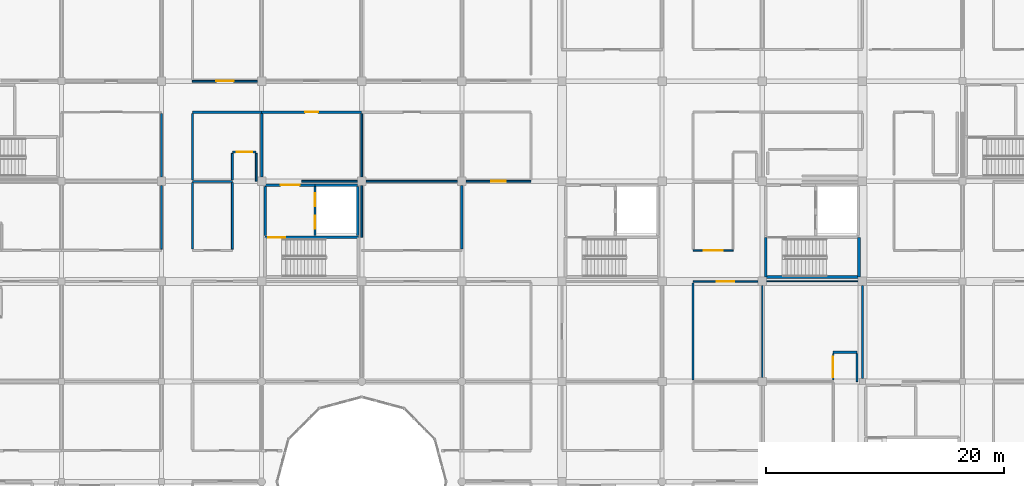
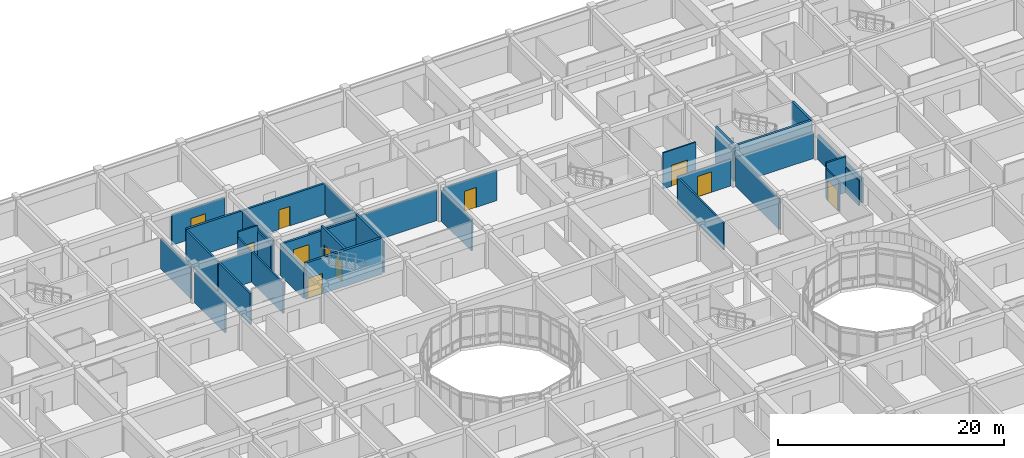
# One storey, part 92 of 119: 37 walls, 11 doors, 11 openings.
"""IFC4 building model written with IfcOpenShell, lengths in metres."""

from ifc_helpers import new_model, si_unit, direction, frame, frame_2d, origin, place, context, subcontext, project, spatial, rectangle, extrude, material, layer, layer_set, type_object, element, fill, save


model = new_model("IFC4")

# Units and contexts
model_context = context("Model", 3, precision=1e-05, world=origin(), true_north=direction((0.0, 1.0)))
body_context = subcontext(model_context, "Body", "Model", "MODEL_VIEW")
ifc_project = project(units=[si_unit("LENGTHUNIT", "METRE"), si_unit("AREAUNIT", "SQUARE_METRE"), si_unit("VOLUMEUNIT", "CUBIC_METRE"), si_unit("PLANEANGLEUNIT", "RADIAN"), si_unit("MASSUNIT", "GRAM", prefix="KILO")], contexts=[model_context])

# Site, building, storey
site_placement = place(None, origin())
site = spatial("IfcSite", under=ifc_project, at=site_placement, CompositionType="ELEMENT")
building_placement = place(site_placement, origin())
building = spatial("IfcBuilding", under=site, at=building_placement, Name="Bramfleet General Hospital", CompositionType="ELEMENT")
storey_placement = place(building_placement, frame((0.0, 0.0, 14.39990234375)))
storey = spatial("IfcBuildingStorey", under=building, at=storey_placement, Name="L03", CompositionType="ELEMENT", Elevation=14.39990234375)

# Wall
ifc_material_1 = material(Name="Concrete C35/45", Category="concrete")
ifc_layer_1 = layer(ifc_material_1, 0.219970703125, Name="WT-IW-01")
ifc_layer_set_1 = layer_set([ifc_layer_1], Name="Concrete C35/45")
wall_type_1 = type_object("IfcWallType", Name="WT-IW-01", PredefinedType="PARTITIONING", material=ifc_layer_set_1)
wall_1_placement = place(storey_placement, frame((69.800048828125, 106.60009765625, 0.0), z_axis=(0.0, 0.0, 1.0), x_axis=(1.0, 0.0, 0.0)))
element("IfcWall", 1, at=wall_1_placement, inside=storey, type_object=wall_type_1, Name="L03 Interior Partition IW-L03-2725", PredefinedType="PARTITIONING", context=body_context, shape_type="SweptSolid", body=[
    extrude(rectangle(XDim=5.800048828125, YDim=0.219970703125, at=frame_2d((2.89990234375, 0.0))), origin(), (0.0, 0.0, 1.0), 3.340087890625),
])

# Wall, openings, doors
ifc_layer_2 = layer(ifc_material_1, 0.205078125, Name="WT-IW-02")
ifc_layer_set_2 = layer_set([ifc_layer_2], Name="Concrete C35/45")
wall_type_2 = type_object("IfcWallType", Name="WT-IW-02", PredefinedType="PARTITIONING", material=ifc_layer_set_2)
wall_2_placement = place(storey_placement, frame((80.080078125, 96.239990234375, 0.0), z_axis=(0.0, 0.0, 1.0), x_axis=(0.0, 1.0, 0.0)))
wall_2 = element("IfcWall", 2, at=wall_2_placement, inside=storey, type_object=wall_type_2, Name="L03 C5 Lobby East Shaft Wall", PredefinedType="PARTITIONING", context=body_context, shape_type="SweptSolid", body=[
    extrude(rectangle(XDim=4.1201171875, YDim=0.205078125, at=frame_2d((2.06005859375, 0.0))), origin(), (0.0, 0.0, 1.0), 3.89013671875),
])
opening_1_placement = place(wall_2_placement, frame((0.570068359375, 0.0, 0.0)))
opening_1 = element("IfcOpeningElement", 3, at=opening_1_placement, cuts=wall_2, Name="Opening LD-PL-02-L03", PredefinedType="OPENING", context=body_context, shape_type="SweptSolid", body=[
    extrude(rectangle(XDim=1.10009765625, YDim=2.14990234375, at=frame_2d((0.550048828125, 1.074951171875))), frame((0.0, 0.112548828125, 0.0), z_axis=(0.0, -1.0, 0.0), x_axis=(1.0, 0.0, 0.0)), (0.0, 0.0, 1.0), 0.22509765625),
])
opening_2_placement = place(wall_2_placement, frame((2.449951171875, 0.0, 0.0)))
opening_2 = element("IfcOpeningElement", 4, at=opening_2_placement, cuts=wall_2, Name="Opening LD-PL-03-L03", PredefinedType="OPENING", context=body_context, shape_type="SweptSolid", body=[
    extrude(rectangle(XDim=1.10009765625, YDim=2.14990234375, at=frame_2d((0.550048828125, 1.074951171875))), frame((0.0, 0.112548828125, 0.0), z_axis=(0.0, -1.0, 0.0), x_axis=(1.0, 0.0, 0.0)), (0.0, 0.0, 1.0), 0.22509765625),
])
ifc_material_2 = material(Name="Brushed stainless steel 1.4301", Category="steel")
door_type_1 = type_object("IfcDoorType", Name="DR-LD-02", OperationType="NOTDEFINED", PredefinedType="DOOR", material=ifc_material_2)
door_1_placement = place(opening_1_placement, origin())
door_1 = element("IfcDoor", 5, at=door_1_placement, inside=storey, type_object=door_type_1, Name="L03 Lift PL-02 Sliding Landing Door", OperationType="SLIDING_TO_LEFT", OverallHeight=2.14990234375, OverallWidth=1.10009765625, PredefinedType="DOOR", context=body_context, shape_type="SweptSolid", body=[
    extrude(rectangle(XDim=1.10009765625, YDim=2.14990234375, at=frame_2d((0.550048828125, 1.074951171875))), frame((0.0, 0.02490234375, 0.0), z_axis=(0.0, -1.0, 0.0), x_axis=(1.0, 0.0, 0.0)), (0.0, 0.0, 1.0), 0.050048828125),
])
fill(opening_1, door_1)
door_2_placement = place(opening_2_placement, origin())
door_2 = element("IfcDoor", 6, at=door_2_placement, inside=storey, type_object=door_type_1, Name="L03 Lift PL-03 Sliding Landing Door", OperationType="SLIDING_TO_LEFT", OverallHeight=2.14990234375, OverallWidth=1.10009765625, PredefinedType="DOOR", context=body_context, shape_type="SweptSolid", body=[
    extrude(rectangle(XDim=1.10009765625, YDim=2.14990234375, at=frame_2d((0.550048828125, 1.074951171875))), frame((0.0, 0.02490234375, 0.0), z_axis=(0.0, -1.0, 0.0), x_axis=(1.0, 0.0, 0.0)), (0.0, 0.0, 1.0), 0.050048828125),
])
fill(opening_2, door_2)

# Walls
wall_3_placement = place(storey_placement, frame((83.64990234375, 96.239990234375, 0.0), z_axis=(0.0, 0.0, 1.0), x_axis=(0.0, 1.0, 0.0)))
element("IfcWall", 7, at=wall_3_placement, inside=storey, type_object=wall_type_2, Name="L03 C5 Lift Shaft East Wall", PredefinedType="PARTITIONING", context=body_context, shape_type="SweptSolid", body=[
    extrude(rectangle(XDim=4.1201171875, YDim=0.205078125, at=frame_2d((2.06005859375, 0.0))), origin(), (0.0, 0.0, 1.0), 3.89013671875),
])
wall_4_placement = place(storey_placement, frame((80.080078125, 100.47998046875, 0.0), z_axis=(0.0, 0.0, 1.0), x_axis=(1.0, 0.0, 0.0)))
element("IfcWall", 8, at=wall_4_placement, inside=storey, type_object=wall_type_2, Name="L03 C5 Lift Shaft North Wall", PredefinedType="PARTITIONING", context=body_context, shape_type="SweptSolid", body=[
    extrude(rectangle(XDim=3.56982421875, YDim=0.205078125, at=frame_2d((1.784912109375, 0.0))), origin(), (0.0, 0.0, 1.0), 3.2900390625),
])
wall_5_placement = place(storey_placement, frame((75.89990234375, 96.239990234375, 0.0), z_axis=(0.0, 0.0, 1.0), x_axis=(0.0, 1.0, 0.0)))
element("IfcWall", 9, at=wall_5_placement, inside=storey, type_object=wall_type_2, Name="L03 C5 Lobby West Compartment Wall", PredefinedType="PARTITIONING", context=body_context, shape_type="SweptSolid", body=[
    extrude(rectangle(XDim=4.1201171875, YDim=0.205078125, at=frame_2d((2.06005859375, 0.0))), origin(), (0.0, 0.0, 1.0), 3.340087890625),
])

# Wall, opening, door
wall_6_placement = place(storey_placement, frame((75.89990234375, 100.47998046875, 0.0), z_axis=(0.0, 0.0, 1.0), x_axis=(1.0, 0.0, 0.0)))
wall_6 = element("IfcWall", 10, at=wall_6_placement, inside=storey, type_object=wall_type_2, Name="L03 C5 Lobby North Compartment Wall", PredefinedType="PARTITIONING", context=body_context, shape_type="SweptSolid", body=[
    extrude(rectangle(XDim=4.18017578125, YDim=0.205078125, at=frame_2d((2.090087890625, 0.0))), origin(), (0.0, 0.0, 1.0), 3.2900390625),
])
opening_3_placement = place(wall_6_placement, frame((1.2900390625, 0.0, 0.0)))
opening_3 = element("IfcOpeningElement", 11, at=opening_3_placement, cuts=wall_6, Name="Opening D0064", PredefinedType="OPENING", context=body_context, shape_type="SweptSolid", body=[
    extrude(rectangle(XDim=1.60009765625, YDim=2.25, at=frame_2d((0.800048828125, 1.125))), frame((0.0, 0.112548828125, 0.0), z_axis=(0.0, -1.0, 0.0), x_axis=(1.0, 0.0, 0.0)), (0.0, 0.0, 1.0), 0.22509765625),
])
ifc_material_3 = material(Name="Stainless steel and acoustic timber leaf", Category="steel")
door_type_2 = type_object("IfcDoorType", Name="DR-D-04", OperationType="NOTDEFINED", PredefinedType="DOOR", material=ifc_material_3)
door_3_placement = place(opening_3_placement, origin())
door_3 = element("IfcDoor", 12, at=door_3_placement, inside=storey, type_object=door_type_2, Name="L03 C5 Lobby Fire Door D0064", OperationType="DOUBLE_SWING_LEFT", OverallHeight=2.25, OverallWidth=1.60009765625, PredefinedType="DOOR", context=body_context, shape_type="SweptSolid", body=[
    extrude(rectangle(XDim=1.60009765625, YDim=2.25, at=frame_2d((0.800048828125, 1.125))), frame((0.0, 0.02490234375, 0.0), z_axis=(0.0, -1.0, 0.0), x_axis=(1.0, 0.0, 0.0)), (0.0, 0.0, 1.0), 0.050048828125),
])
fill(opening_3, door_3)

wall_7_placement = place(storey_placement, frame((75.60009765625, 106.60009765625, 0.0), z_axis=(0.0, 0.0, 1.0), x_axis=(1.0, 0.0, 0.0)))
wall_7 = element("IfcWall", 13, at=wall_7_placement, inside=storey, type_object=wall_type_2, Name="L03 Interior Partition IW-L03-2726", PredefinedType="PARTITIONING", context=body_context, shape_type="SweptSolid", body=[
    extrude(rectangle(XDim=8.39990234375, YDim=0.205078125, at=frame_2d((4.199951171875, 0.0))), origin(), (0.0, 0.0, 1.0), 3.340087890625),
])
opening_4_placement = place(wall_7_placement, frame((3.659912109375, 0.0, 0.0)))
opening_4 = element("IfcOpeningElement", 14, at=opening_4_placement, cuts=wall_7, Name="Opening D1110", PredefinedType="OPENING", context=body_context, shape_type="SweptSolid", body=[
    extrude(rectangle(XDim=1.080078125, YDim=2.1201171875, at=frame_2d((0.5400390625, 1.06005859375))), frame((0.0, 0.112548828125, 0.0), z_axis=(0.0, -1.0, 0.0), x_axis=(1.0, 0.0, 0.0)), (0.0, 0.0, 1.0), 0.22509765625),
])
door_type_3 = type_object("IfcDoorType", Name="DR-D-22", OperationType="NOTDEFINED", PredefinedType="DOOR", material=ifc_material_3)
door_4_placement = place(opening_4_placement, origin())
door_4 = element("IfcDoor", 15, at=door_4_placement, inside=storey, type_object=door_type_3, Name="Maternity Delivery Suite and Clinical Lab L03-0912 Door D1110", OperationType="SINGLE_SWING_LEFT", OverallHeight=2.1201171875, OverallWidth=1.080078125, PredefinedType="DOOR", context=body_context, shape_type="SweptSolid", body=[
    extrude(rectangle(XDim=1.080078125, YDim=2.1201171875, at=frame_2d((0.5400390625, 1.06005859375))), frame((0.0, 0.02490234375, 0.0), z_axis=(0.0, -1.0, 0.0), x_axis=(1.0, 0.0, 0.0)), (0.0, 0.0, 1.0), 0.050048828125),
])
fill(opening_4, door_4)

# Walls
wall_8_placement = place(storey_placement, frame((75.60009765625, 101.14501953125, 0.0), z_axis=(0.0, 0.0, 1.0), x_axis=(0.0, 1.0, 0.0)))
element("IfcWall", 16, at=wall_8_placement, inside=storey, type_object=wall_type_2, Name="L03 Interior Partition IW-L03-2906", PredefinedType="PARTITIONING", context=body_context, shape_type="SweptSolid", body=[
    extrude(rectangle(XDim=5.340087890625, YDim=0.205078125, at=frame_2d((2.669921875, 0.0))), origin(), (0.0, 0.0, 1.0), 3.340087890625),
])
ifc_layer_3 = layer(ifc_material_1, 0.18994140625, Name="WT-IW-03")
ifc_layer_set_3 = layer_set([ifc_layer_3], Name="Concrete C35/45")
wall_type_3 = type_object("IfcWallType", Name="WT-IW-03", PredefinedType="PARTITIONING", material=ifc_layer_set_3)
wall_9_placement = place(storey_placement, frame((123.550048828125, 86.449951171875, 0.0), z_axis=(0.0, 0.0, 1.0), x_axis=(1.0, 0.0, 0.0)))
element("IfcWall", 17, at=wall_9_placement, inside=storey, type_object=wall_type_3, Name="L03 Interior Partition IW-L03-2631", PredefinedType="PARTITIONING", context=body_context, shape_type="SweptSolid", body=[
    extrude(rectangle(XDim=2.0, YDim=0.18994140625, at=frame_2d((1.0, 0.0))), origin(), (0.0, 0.0, 1.0), 3.89013671875),
])
wall_10_placement = place(storey_placement, frame((69.800048828125, 95.114990234375, 0.0), z_axis=(0.0, 0.0, 1.0), x_axis=(0.0, 1.0, 0.0)))
element("IfcWall", 18, at=wall_10_placement, inside=storey, type_object=wall_type_3, Name="L03 Interior Partition IW-L03-2895", PredefinedType="PARTITIONING", context=body_context, shape_type="SweptSolid", body=[
    extrude(rectangle(XDim=5.570068359375, YDim=0.18994140625, at=frame_2d((2.78515625, 0.0))), origin(), (0.0, 0.0, 1.0), 3.2900390625),
])
wall_11_placement = place(storey_placement, frame((92.39990234375, 95.114990234375, 0.0), z_axis=(0.0, 0.0, 1.0), x_axis=(0.0, 1.0, 0.0)))
element("IfcWall", 19, at=wall_11_placement, inside=storey, type_object=wall_type_3, Name="L03 Interior Partition IW-L03-2919", PredefinedType="PARTITIONING", context=body_context, shape_type="SweptSolid", body=[
    extrude(rectangle(XDim=5.340087890625, YDim=0.18994140625, at=frame_2d((2.669921875, 0.0))), origin(), (0.0, 0.0, 1.0), 3.340087890625),
])
ifc_layer_4 = layer(ifc_material_1, 0.179931640625, Name="WT-IW-04")
ifc_layer_set_4 = layer_set([ifc_layer_4], Name="Concrete C35/45")
wall_type_4 = type_object("IfcWallType", Name="WT-IW-04", PredefinedType="PARTITIONING", material=ifc_layer_set_4)
wall_12_placement = place(storey_placement, frame((69.800048828125, 100.9150390625, 0.0), z_axis=(0.0, 0.0, 1.0), x_axis=(0.0, 1.0, 0.0)))
element("IfcWall", 20, at=wall_12_placement, inside=storey, type_object=wall_type_4, Name="L03 Interior Partition IW-L03-2896", PredefinedType="PARTITIONING", context=body_context, shape_type="SweptSolid", body=[
    extrude(rectangle(XDim=5.570068359375, YDim=0.179931640625, at=frame_2d((2.78515625, 0.0))), origin(), (0.0, 0.0, 1.0), 3.2900390625),
])
wall_13_placement = place(storey_placement, frame((126.0, 84.2451171875, 0.0), z_axis=(0.0, 0.0, 1.0), x_axis=(0.0, 1.0, 0.0)))
element("IfcWall", 21, at=wall_13_placement, inside=storey, type_object=wall_type_4, Name="L03 Interior Partition IW-L03-3004", PredefinedType="PARTITIONING", context=body_context, shape_type="SweptSolid", body=[
    extrude(rectangle(XDim=7.809814453125, YDim=0.179931640625, at=frame_2d((3.90478515625, 0.0))), origin(), (0.0, 0.0, 1.0), 2.690185546875),
])
ifc_material_4 = material(Name="Gypsum plasterboard on acoustic steel studs", Category="steel")
ifc_layer_5 = layer(ifc_material_4, 0.169921875, Name="WT-IW-05")
ifc_layer_set_5 = layer_set([ifc_layer_5], Name="Gypsum plasterboard on acoustic steel studs")
wall_type_5 = type_object("IfcWallType", Name="WT-IW-05", PredefinedType="PARTITIONING", material=ifc_layer_set_5)
wall_14_placement = place(storey_placement, frame((69.800048828125, 100.800048828125, 0.0), z_axis=(0.0, 0.0, 1.0), x_axis=(1.0, 0.0, 0.0)))
element("IfcWall", 22, at=wall_14_placement, inside=storey, type_object=wall_type_5, Name="L03 Interior Partition IW-L03-2693", PredefinedType="PARTITIONING", context=body_context, shape_type="SweptSolid", body=[
    extrude(rectangle(XDim=3.349853515625, YDim=0.169921875, at=frame_2d((1.6748046875, 0.0))), origin(), (0.0, 0.0, 1.0), 3.2900390625),
])
wall_15_placement = place(storey_placement, frame((111.800048828125, 84.114990234375, 0.0), z_axis=(0.0, 0.0, 1.0), x_axis=(0.0, 1.0, 0.0)))
element("IfcWall", 23, at=wall_15_placement, inside=storey, type_object=wall_type_5, Name="L03 Interior Partition IW-L03-2969", PredefinedType="PARTITIONING", context=body_context, shape_type="SweptSolid", body=[
    extrude(rectangle(XDim=8.169921875, YDim=0.169921875, at=frame_2d((4.0849609375, 0.0))), origin(), (0.0, 0.0, 1.0), 2.89013671875),
])
ifc_layer_6 = layer(ifc_material_4, 0.159912109375, Name="WT-IW-06")
ifc_layer_set_6 = layer_set([ifc_layer_6], Name="Gypsum plasterboard on acoustic steel studs")
wall_type_6 = type_object("IfcWallType", Name="WT-IW-06", PredefinedType="PARTITIONING", material=ifc_layer_set_6)
wall_16_placement = place(storey_placement, frame((78.949951171875, 100.800048828125, 0.0), z_axis=(0.0, 0.0, 1.0), x_axis=(1.0, 0.0, 0.0)))
element("IfcWall", 24, at=wall_16_placement, inside=storey, type_object=wall_type_6, Name="L03 Interior Partition IW-L03-2694", PredefinedType="PARTITIONING", context=body_context, shape_type="SweptSolid", body=[
    extrude(rectangle(XDim=4.705078125, YDim=0.159912109375, at=frame_2d((2.3525390625, 0.0))), origin(), (0.0, 0.0, 1.0), 3.2900390625),
])
wall_17_placement = place(storey_placement, frame((73.14990234375, 95.114990234375, 0.0), z_axis=(0.0, 0.0, 1.0), x_axis=(0.0, 1.0, 0.0)))
element("IfcWall", 25, at=wall_17_placement, inside=storey, type_object=wall_type_6, Name="L03 Interior Partition IW-L03-2898", PredefinedType="PARTITIONING", context=body_context, shape_type="SweptSolid", body=[
    extrude(rectangle(XDim=5.570068359375, YDim=0.159912109375, at=frame_2d((2.78515625, 0.0))), origin(), (0.0, 0.0, 1.0), 3.2900390625),
])
ifc_layer_7 = layer(ifc_material_4, 0.14990234375, Name="WT-IW-07")
ifc_layer_set_7 = layer_set([ifc_layer_7], Name="Gypsum plasterboard on acoustic steel studs")
wall_type_7 = type_object("IfcWallType", Name="WT-IW-07", PredefinedType="PARTITIONING", material=ifc_layer_set_7)
wall_18_placement = place(storey_placement, frame((84.344970703125, 100.800048828125, 0.0), z_axis=(0.0, 0.0, 1.0), x_axis=(1.0, 0.0, 0.0)))
element("IfcWall", 26, at=wall_18_placement, inside=storey, type_object=wall_type_7, Name="L03 Interior Partition IW-L03-2695", PredefinedType="PARTITIONING", context=body_context, shape_type="SweptSolid", body=[
    extrude(rectangle(XDim=7.7099609375, YDim=0.14990234375, at=frame_2d((3.85498046875, 0.0))), origin(), (0.0, 0.0, 1.0), 3.2900390625),
])

# Wall, opening, door
wall_19_placement = place(storey_placement, frame((69.800048828125, 109.199951171875, 0.0), z_axis=(0.0, 0.0, 1.0), x_axis=(1.0, 0.0, 0.0)))
wall_19 = element("IfcWall", 27, at=wall_19_placement, inside=storey, type_object=wall_type_7, Name="L03 Interior Partition IW-L03-2743", PredefinedType="PARTITIONING", context=body_context, shape_type="SweptSolid", body=[
    extrude(rectangle(XDim=5.454833984375, YDim=0.14990234375, at=frame_2d((2.7275390625, 0.0))), origin(), (0.0, 0.0, 1.0), 3.2900390625),
])
opening_5_placement = place(wall_19_placement, frame((1.987548828125, 0.0, 0.0)))
opening_5 = element("IfcOpeningElement", 28, at=opening_5_placement, cuts=wall_19, Name="Opening D1104", PredefinedType="OPENING", context=body_context, shape_type="SweptSolid", body=[
    extrude(rectangle(XDim=1.47998046875, YDim=2.219970703125, at=frame_2d((0.739990234375, 1.10986328125))), frame((0.0, 0.0849609375, 0.0), z_axis=(0.0, -1.0, 0.0), x_axis=(1.0, 0.0, 0.0)), (0.0, 0.0, 1.0), 0.169921875),
])
door_type_4 = type_object("IfcDoorType", Name="DR-D-16", OperationType="NOTDEFINED", PredefinedType="DOOR", material=ifc_material_3)
door_5_placement = place(opening_5_placement, origin())
door_5 = element("IfcDoor", 29, at=door_5_placement, inside=storey, type_object=door_type_4, Name="Maternity Delivery Suite and Clinical Lab L03-0813 Door D1104", OperationType="SINGLE_SWING_LEFT", OverallHeight=2.219970703125, OverallWidth=1.47998046875, PredefinedType="DOOR", context=body_context, shape_type="SweptSolid", body=[
    extrude(rectangle(XDim=1.47998046875, YDim=2.219970703125, at=frame_2d((0.739990234375, 1.10986328125))), frame((0.0, 0.02490234375, 0.0), z_axis=(0.0, -1.0, 0.0), x_axis=(1.0, 0.0, 0.0)), (0.0, 0.0, 1.0), 0.050048828125),
])
fill(opening_5, door_5)

# Walls
wall_20_placement = place(storey_placement, frame((67.199951171875, 95.114990234375, 0.0), z_axis=(0.0, 0.0, 1.0), x_axis=(0.0, 1.0, 0.0)))
element("IfcWall", 30, at=wall_20_placement, inside=storey, type_object=wall_type_7, Name="L03 Interior Partition IW-L03-2887", PredefinedType="PARTITIONING", context=body_context, shape_type="SweptSolid", body=[
    extrude(rectangle(XDim=5.340087890625, YDim=0.14990234375, at=frame_2d((2.669921875, 0.0))), origin(), (0.0, 0.0, 1.0), 3.340087890625),
])
wall_21_placement = place(storey_placement, frame((73.14990234375, 100.9150390625, 0.0), z_axis=(0.0, 0.0, 1.0), x_axis=(0.0, 1.0, 0.0)))
element("IfcWall", 31, at=wall_21_placement, inside=storey, type_object=wall_type_7, Name="L03 Interior Partition IW-L03-2899", PredefinedType="PARTITIONING", context=body_context, shape_type="SweptSolid", body=[
    extrude(rectangle(XDim=2.219970703125, YDim=0.14990234375, at=frame_2d((1.10986328125, 0.0))), origin(), (0.0, 0.0, 1.0), 3.2900390625),
])
wall_22_placement = place(storey_placement, frame((84.0, 96.10009765625, 0.0), z_axis=(0.0, 0.0, 1.0), x_axis=(0.0, 1.0, 0.0)))
element("IfcWall", 32, at=wall_22_placement, inside=storey, type_object=wall_type_7, Name="L03 Interior Partition IW-L03-2911", PredefinedType="PARTITIONING", context=body_context, shape_type="SweptSolid", body=[
    extrude(rectangle(XDim=4.35498046875, YDim=0.14990234375, at=frame_2d((2.177490234375, 0.0))), origin(), (0.0, 0.0, 1.0), 3.340087890625),
])

# Wall, opening, door
ifc_layer_8 = layer(ifc_material_4, 0.139892578125, Name="WT-IW-08")
ifc_layer_set_8 = layer_set([ifc_layer_8], Name="Gypsum plasterboard on acoustic steel studs")
wall_type_8 = type_object("IfcWallType", Name="WT-IW-08", PredefinedType="PARTITIONING", material=ifc_layer_set_8)
wall_23_placement = place(storey_placement, frame((92.7451171875, 100.800048828125, 0.0), z_axis=(0.0, 0.0, 1.0), x_axis=(1.0, 0.0, 0.0)))
wall_23 = element("IfcWall", 33, at=wall_23_placement, inside=storey, type_object=wall_type_8, Name="L03 Interior Partition IW-L03-2696", PredefinedType="PARTITIONING", context=body_context, shape_type="SweptSolid", body=[
    extrude(rectangle(XDim=5.454833984375, YDim=0.139892578125, at=frame_2d((2.7275390625, 0.0))), origin(), (0.0, 0.0, 1.0), 3.2900390625),
])
opening_6_placement = place(wall_23_placement, frame((2.12744140625, 0.0, 0.0)))
opening_6 = element("IfcOpeningElement", 34, at=opening_6_placement, cuts=wall_23, Name="Opening D1133", PredefinedType="OPENING", context=body_context, shape_type="SweptSolid", body=[
    extrude(rectangle(XDim=1.199951171875, YDim=2.14990234375, at=frame_2d((0.60009765625, 1.074951171875))), frame((0.0, 0.079833984375, 0.0), z_axis=(0.0, -1.0, 0.0), x_axis=(1.0, 0.0, 0.0)), (0.0, 0.0, 1.0), 0.159912109375),
])
door_type_5 = type_object("IfcDoorType", Name="DR-D-13", OperationType="NOTDEFINED", PredefinedType="DOOR", material=ifc_material_3)
door_6_placement = place(opening_6_placement, origin())
door_6 = element("IfcDoor", 35, at=door_6_placement, inside=storey, type_object=door_type_5, Name="Maternity Delivery Suite and Clinical Lab L03-1112 Door D1133", OperationType="SINGLE_SWING_RIGHT", OverallHeight=2.14990234375, OverallWidth=1.199951171875, PredefinedType="DOOR", context=body_context, shape_type="SweptSolid", body=[
    extrude(rectangle(XDim=1.199951171875, YDim=2.14990234375, at=frame_2d((0.60009765625, 1.074951171875))), frame((0.0, 0.02490234375, 0.0), z_axis=(0.0, -1.0, 0.0), x_axis=(1.0, 0.0, 0.0)), (0.0, 0.0, 1.0), 0.050048828125),
])
fill(opening_6, door_6)

wall_24_placement = place(storey_placement, frame((73.14990234375, 103.25, 0.0), z_axis=(0.0, 0.0, 1.0), x_axis=(1.0, 0.0, 0.0)))
wall_24 = element("IfcWall", 36, at=wall_24_placement, inside=storey, type_object=wall_type_8, Name="L03 Interior Partition IW-L03-2708", PredefinedType="PARTITIONING", context=body_context, shape_type="SweptSolid", body=[
    extrude(rectangle(XDim=2.0, YDim=0.139892578125, at=frame_2d((1.0, 0.0))), origin(), (0.0, 0.0, 1.0), 3.89013671875),
])
opening_7_placement = place(wall_24_placement, frame((0.35009765625, 0.0, 0.0)))
opening_7 = element("IfcOpeningElement", 37, at=opening_7_placement, cuts=wall_24, Name="Opening D1103", PredefinedType="OPENING", context=body_context, shape_type="SweptSolid", body=[
    extrude(rectangle(XDim=1.300048828125, YDim=2.199951171875, at=frame_2d((0.64990234375, 1.10009765625))), frame((0.0, 0.079833984375, 0.0), z_axis=(0.0, -1.0, 0.0), x_axis=(1.0, 0.0, 0.0)), (0.0, 0.0, 1.0), 0.159912109375),
])
door_type_6 = type_object("IfcDoorType", Name="DR-D-15", OperationType="NOTDEFINED", PredefinedType="DOOR", material=ifc_material_3)
door_7_placement = place(opening_7_placement, origin())
door_7 = element("IfcDoor", 38, at=door_7_placement, inside=storey, type_object=door_type_6, Name="Maternity Delivery Suite and Clinical Lab L03-0812 Door D1103", OperationType="SINGLE_SWING_RIGHT", OverallHeight=2.199951171875, OverallWidth=1.300048828125, PredefinedType="DOOR", context=body_context, shape_type="SweptSolid", body=[
    extrude(rectangle(XDim=1.300048828125, YDim=2.199951171875, at=frame_2d((0.64990234375, 1.10009765625))), frame((0.0, 0.02490234375, 0.0), z_axis=(0.0, -1.0, 0.0), x_axis=(1.0, 0.0, 0.0)), (0.0, 0.0, 1.0), 0.050048828125),
])
fill(opening_7, door_7)

# Walls
wall_25_placement = place(storey_placement, frame((67.199951171875, 101.14501953125, 0.0), z_axis=(0.0, 0.0, 1.0), x_axis=(0.0, 1.0, 0.0)))
element("IfcWall", 39, at=wall_25_placement, inside=storey, type_object=wall_type_8, Name="L03 Interior Partition IW-L03-2888", PredefinedType="PARTITIONING", context=body_context, shape_type="SweptSolid", body=[
    extrude(rectangle(XDim=5.340087890625, YDim=0.139892578125, at=frame_2d((2.669921875, 0.0))), origin(), (0.0, 0.0, 1.0), 3.340087890625),
])
wall_26_placement = place(storey_placement, frame((75.14990234375, 100.800048828125, 0.0), z_axis=(0.0, 0.0, 1.0), x_axis=(0.0, 1.0, 0.0)))
element("IfcWall", 40, at=wall_26_placement, inside=storey, type_object=wall_type_8, Name="L03 Interior Partition IW-L03-2900", PredefinedType="PARTITIONING", context=body_context, shape_type="SweptSolid", body=[
    extrude(rectangle(XDim=2.3349609375, YDim=0.139892578125, at=frame_2d((1.16748046875, 0.0))), origin(), (0.0, 0.0, 1.0), 3.2900390625),
])
wall_27_placement = place(storey_placement, frame((84.0, 101.14501953125, 0.0), z_axis=(0.0, 0.0, 1.0), x_axis=(0.0, 1.0, 0.0)))
element("IfcWall", 41, at=wall_27_placement, inside=storey, type_object=wall_type_8, Name="L03 Interior Partition IW-L03-2912", PredefinedType="PARTITIONING", context=body_context, shape_type="SweptSolid", body=[
    extrude(rectangle(XDim=5.340087890625, YDim=0.139892578125, at=frame_2d((2.669921875, 0.0))), origin(), (0.0, 0.0, 1.0), 3.340087890625),
])

# Wall, opening, door
wall_28_placement = place(storey_placement, frame((123.550048828125, 84.114990234375, 0.0), z_axis=(0.0, 0.0, 1.0), x_axis=(0.0, 1.0, 0.0)))
wall_28 = element("IfcWall", 42, at=wall_28_placement, inside=storey, type_object=wall_type_8, Name="L03 Interior Partition IW-L03-2996", PredefinedType="PARTITIONING", context=body_context, shape_type="SweptSolid", body=[
    extrude(rectangle(XDim=2.219970703125, YDim=0.139892578125, at=frame_2d((1.10986328125, 0.0))), origin(), (0.0, 0.0, 1.0), 3.2900390625),
])
opening_8_placement = place(wall_28_placement, frame((0.239990234375, 0.0, 0.0)))
opening_8 = element("IfcOpeningElement", 43, at=opening_8_placement, cuts=wall_28, Name="Opening D1171", PredefinedType="OPENING", context=body_context, shape_type="SweptSolid", body=[
    extrude(rectangle(XDim=1.739990234375, YDim=2.239990234375, at=frame_2d((0.8701171875, 1.1201171875))), frame((0.0, 0.079833984375, 0.0), z_axis=(0.0, -1.0, 0.0), x_axis=(1.0, 0.0, 0.0)), (0.0, 0.0, 1.0), 0.159912109375),
])
door_type_7 = type_object("IfcDoorType", Name="DR-D-19", OperationType="NOTDEFINED", PredefinedType="DOOR", material=ifc_material_3)
door_8_placement = place(opening_8_placement, origin())
door_8 = element("IfcDoor", 44, at=door_8_placement, inside=storey, type_object=door_type_7, Name="Maternity Delivery Suite and Clinical Lab L03-1410 Door D1171", OperationType="DOUBLE_SWING_RIGHT", OverallHeight=2.239990234375, OverallWidth=1.739990234375, PredefinedType="DOOR", context=body_context, shape_type="SweptSolid", body=[
    extrude(rectangle(XDim=1.739990234375, YDim=2.239990234375, at=frame_2d((0.8701171875, 1.1201171875))), frame((0.0, 0.02490234375, 0.0), z_axis=(0.0, -1.0, 0.0), x_axis=(1.0, 0.0, 0.0)), (0.0, 0.0, 1.0), 0.050048828125),
])
fill(opening_8, door_8)

ifc_layer_9 = layer(ifc_material_4, 0.1298828125, Name="WT-IW-09")
ifc_layer_set_9 = layer_set([ifc_layer_9], Name="Gypsum plasterboard on acoustic steel studs")
wall_type_9 = type_object("IfcWallType", Name="WT-IW-09", PredefinedType="PARTITIONING", material=ifc_layer_set_9)
wall_29_placement = place(storey_placement, frame((111.800048828125, 95.0, 0.0), z_axis=(0.0, 0.0, 1.0), x_axis=(1.0, 0.0, 0.0)))
wall_29 = element("IfcWall", 45, at=wall_29_placement, inside=storey, type_object=wall_type_9, Name="L03 Interior Partition IW-L03-2673", PredefinedType="PARTITIONING", context=body_context, shape_type="SweptSolid", body=[
    extrude(rectangle(XDim=3.349853515625, YDim=0.1298828125, at=frame_2d((1.6748046875, 0.0))), origin(), (0.0, 0.0, 1.0), 3.89013671875),
])
opening_9_placement = place(wall_29_placement, frame((0.875, 0.0, 0.0)))
opening_9 = element("IfcOpeningElement", 46, at=opening_9_placement, cuts=wall_29, Name="Opening D1156", PredefinedType="OPENING", context=body_context, shape_type="SweptSolid", body=[
    extrude(rectangle(XDim=1.60009765625, YDim=2.25, at=frame_2d((0.800048828125, 1.125))), frame((0.0, 0.074951171875, 0.0), z_axis=(0.0, -1.0, 0.0), x_axis=(1.0, 0.0, 0.0)), (0.0, 0.0, 1.0), 0.14990234375),
])
door_9_placement = place(opening_9_placement, origin())
door_9 = element("IfcDoor", 47, at=door_9_placement, inside=storey, type_object=door_type_2, Name="Maternity Delivery Suite and Clinical Lab L03-1311 Door D1156", OperationType="DOUBLE_SWING_LEFT", OverallHeight=2.25, OverallWidth=1.60009765625, PredefinedType="DOOR", context=body_context, shape_type="SweptSolid", body=[
    extrude(rectangle(XDim=1.60009765625, YDim=2.25, at=frame_2d((0.800048828125, 1.125))), frame((0.0, 0.02490234375, 0.0), z_axis=(0.0, -1.0, 0.0), x_axis=(1.0, 0.0, 0.0)), (0.0, 0.0, 1.0), 0.050048828125),
])
fill(opening_9, door_9)

# Wall
wall_30_placement = place(storey_placement, frame((125.550048828125, 84.0, 0.0), z_axis=(0.0, 0.0, 1.0), x_axis=(0.0, 1.0, 0.0)))
element("IfcWall", 48, at=wall_30_placement, inside=storey, type_object=wall_type_9, Name="L03 Interior Partition IW-L03-2997", PredefinedType="PARTITIONING", context=body_context, shape_type="SweptSolid", body=[
    extrude(rectangle(XDim=2.3349609375, YDim=0.1298828125, at=frame_2d((1.16748046875, 0.0))), origin(), (0.0, 0.0, 1.0), 2.690185546875),
])

# Wall, opening, door
ifc_layer_10 = layer(ifc_material_4, 0.112060546875, Name="WT-IW-11")
ifc_layer_set_10 = layer_set([ifc_layer_10], Name="Gypsum plasterboard on acoustic steel studs")
wall_type_10 = type_object("IfcWallType", Name="WT-IW-11", PredefinedType="PARTITIONING", material=ifc_layer_set_10)
wall_31_placement = place(storey_placement, frame((111.800048828125, 92.39990234375, 0.0), z_axis=(0.0, 0.0, 1.0), x_axis=(1.0, 0.0, 0.0)))
wall_31 = element("IfcWall", 49, at=wall_31_placement, inside=storey, type_object=wall_type_10, Name="L03 Interior Partition IW-L03-2651", PredefinedType="PARTITIONING", context=body_context, shape_type="SweptSolid", body=[
    extrude(rectangle(XDim=5.454833984375, YDim=0.112060546875, at=frame_2d((2.7275390625, 0.0))), origin(), (0.0, 0.0, 1.0), 2.89013671875),
])
opening_10_placement = place(wall_31_placement, frame((2.00244140625, 0.0, 0.0)))
opening_10 = element("IfcOpeningElement", 50, at=opening_10_placement, cuts=wall_31, Name="Opening D1155", PredefinedType="OPENING", context=body_context, shape_type="SweptSolid", body=[
    extrude(rectangle(XDim=1.449951171875, YDim=2.199951171875, at=frame_2d((0.72509765625, 1.10009765625))), frame((0.0, 0.06591796875, 0.0), z_axis=(0.0, -1.0, 0.0), x_axis=(1.0, 0.0, 0.0)), (0.0, 0.0, 1.0), 0.132080078125),
])
door_type_8 = type_object("IfcDoorType", Name="DR-D-03", OperationType="NOTDEFINED", PredefinedType="DOOR", material=ifc_material_3)
door_10_placement = place(opening_10_placement, origin())
door_10 = element("IfcDoor", 51, at=door_10_placement, inside=storey, type_object=door_type_8, Name="Maternity Delivery Suite and Clinical Lab L03-1310 Door D1155", OperationType="SINGLE_SWING_RIGHT", OverallHeight=2.199951171875, OverallWidth=1.449951171875, PredefinedType="DOOR", context=body_context, shape_type="SweptSolid", body=[
    extrude(rectangle(XDim=1.449951171875, YDim=2.199951171875, at=frame_2d((0.72509765625, 1.10009765625))), frame((0.0, 0.02490234375, 0.0), z_axis=(0.0, -1.0, 0.0), x_axis=(1.0, 0.0, 0.0)), (0.0, 0.0, 1.0), 0.050048828125),
])
fill(opening_10, door_10)

# Walls
wall_32_placement = place(storey_placement, frame((117.60009765625, 84.344970703125, 0.0), z_axis=(0.0, 0.0, 1.0), x_axis=(0.0, 1.0, 0.0)))
element("IfcWall", 52, at=wall_32_placement, inside=storey, type_object=wall_type_10, Name="L03 Interior Partition IW-L03-2987", PredefinedType="PARTITIONING", context=body_context, shape_type="SweptSolid", body=[
    extrude(rectangle(XDim=7.7099609375, YDim=0.112060546875, at=frame_2d((3.85498046875, 0.0))), origin(), (0.0, 0.0, 1.0), 3.340087890625),
])
ifc_layer_11 = layer(ifc_material_4, 0.10009765625, Name="WT-IW-12")
ifc_layer_set_11 = layer_set([ifc_layer_11], Name="Gypsum plasterboard on acoustic steel studs")
wall_type_11 = type_object("IfcWallType", Name="WT-IW-12", PredefinedType="PARTITIONING", material=ifc_layer_set_11)
wall_33_placement = place(storey_placement, frame((117.945068359375, 92.39990234375, 0.0), z_axis=(0.0, 0.0, 1.0), x_axis=(1.0, 0.0, 0.0)))
element("IfcWall", 53, at=wall_33_placement, inside=storey, type_object=wall_type_11, Name="L03 Interior Partition IW-L03-2652", PredefinedType="PARTITIONING", context=body_context, shape_type="SweptSolid", body=[
    extrude(rectangle(XDim=7.7099609375, YDim=0.10009765625, at=frame_2d((3.85498046875, 0.0))), origin(), (0.0, 0.0, 1.0), 2.89013671875),
])

# Wall, opening, door
ifc_material_5 = material(Name="Concrete C40/50", Category="concrete")
ifc_layer_12 = layer(ifc_material_5, 0.239990234375, Name="WT-SW-240")
ifc_layer_set_12 = layer_set([ifc_layer_12], Name="Concrete C40/50")
wall_type_12 = type_object("IfcWallType", Name="WT-SW-240", PredefinedType="SHEAR", material=ifc_layer_set_12)
wall_34_placement = place(storey_placement, frame((75.89990234375, 96.10009765625, 0.0), z_axis=(0.0, 0.0, 1.0), x_axis=(1.0, 0.0, 0.0)))
wall_34 = element("IfcWall", 54, at=wall_34_placement, inside=storey, type_object=wall_type_12, Name="L03 C5 Stair-Lobby Shear Wall", PredefinedType="SHEAR", context=body_context, shape_type="SweptSolid", body=[
    extrude(rectangle(XDim=7.820068359375, YDim=0.239990234375, at=frame_2d((3.91015625, 0.0))), origin(), (0.0, 0.0, 1.0), 3.900146484375),
])
opening_11_placement = place(wall_34_placement, frame((0.25, 0.0, 0.0)))
opening_11 = element("IfcOpeningElement", 55, at=opening_11_placement, cuts=wall_34, Name="Opening D0063", PredefinedType="OPENING", context=body_context, shape_type="SweptSolid", body=[
    extrude(rectangle(XDim=1.449951171875, YDim=2.199951171875, at=frame_2d((0.72509765625, 1.10009765625))), frame((0.0, 0.1298828125, 0.0), z_axis=(0.0, -1.0, 0.0), x_axis=(1.0, 0.0, 0.0)), (0.0, 0.0, 1.0), 0.260009765625),
])
door_11_placement = place(opening_11_placement, origin())
door_11 = element("IfcDoor", 56, at=door_11_placement, inside=storey, type_object=door_type_8, Name="L03 C5 Escape Stair Fire Door D0063", OperationType="SINGLE_SWING_RIGHT", OverallHeight=2.199951171875, OverallWidth=1.449951171875, PredefinedType="DOOR", context=body_context, shape_type="SweptSolid", body=[
    extrude(rectangle(XDim=1.449951171875, YDim=2.199951171875, at=frame_2d((0.72509765625, 1.10009765625))), frame((0.0, 0.02490234375, 0.0), z_axis=(0.0, -1.0, 0.0), x_axis=(1.0, 0.0, 0.0)), (0.0, 0.0, 1.0), 0.050048828125),
])
fill(opening_11, door_11)

# Walls
wall_35_placement = place(storey_placement, frame((117.89990234375, 92.780029296875, 0.0), z_axis=(0.0, 0.0, 1.0), x_axis=(1.0, 0.0, 0.0)))
element("IfcWall", 57, at=wall_35_placement, inside=storey, type_object=wall_type_12, Name="L03 C6 South Stair Shear Wall", PredefinedType="SHEAR", context=body_context, shape_type="SweptSolid", body=[
    extrude(rectangle(XDim=7.820068359375, YDim=0.239990234375, at=frame_2d((3.91015625, 0.0))), origin(), (0.0, 0.0, 1.0), 3.900146484375),
])
for number, where, z_axis, x_axis, name in (
    (58, (117.89990234375, 92.780029296875, 0.0), (0.0, 0.0, 1.0), (0.0, 1.0, 0.0), "L03 C6 West Stair Shear Wall"),
    (59, (125.719970703125, 92.780029296875, 0.0), (0.0, 0.0, 1.0), (0.0, 1.0, 0.0), "L03 C6 East Stair Shear Wall"),
):
    element("IfcWall", number, at=place(storey_placement, frame(where, z_axis=z_axis, x_axis=x_axis)), inside=storey, type_object=wall_type_12, Name=name, PredefinedType="SHEAR", context=body_context, shape_type="SweptSolid", body=[
        extrude(rectangle(XDim=3.320068359375, YDim=0.239990234375, at=frame_2d((1.66015625, 0.0))), origin(), (0.0, 0.0, 1.0), 3.900146484375),
    ])

save(model, "model.ifc")
